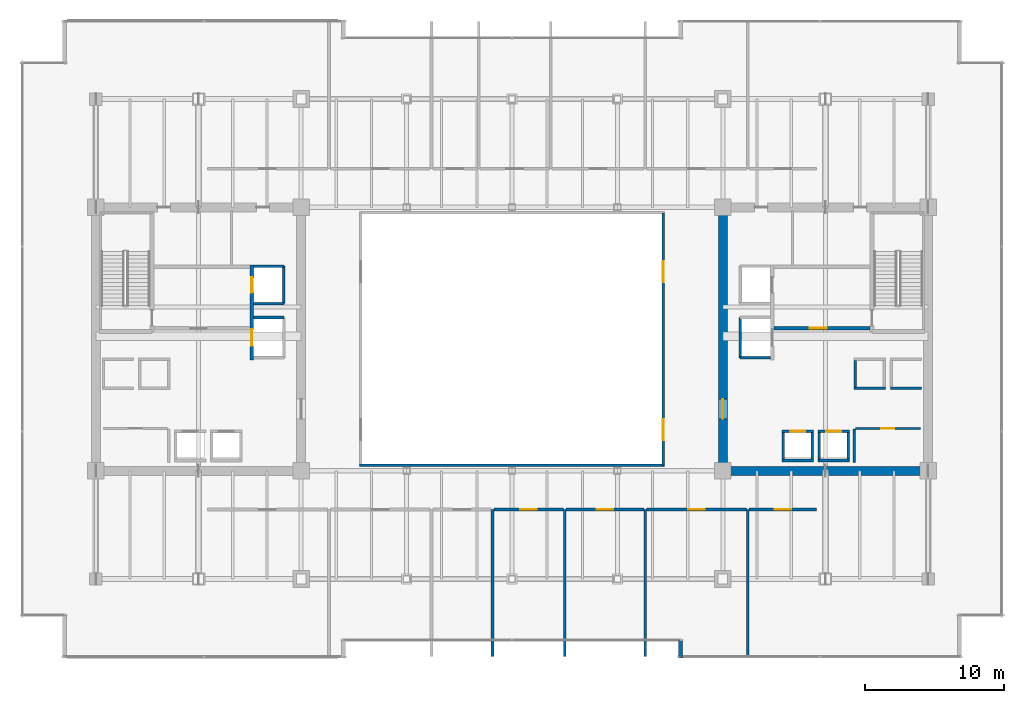
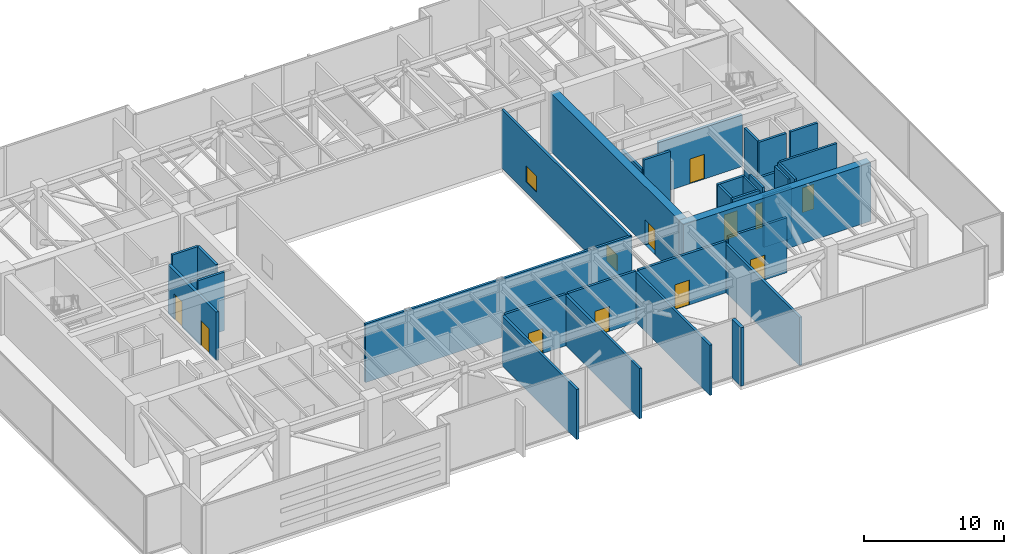
# One storey, part 29 of 34: 34 walls, 11 doors, 2 windows, 13 openings.
"""IFC4 building model written with IfcOpenShell, lengths in metres."""

from ifc_helpers import new_model, si_unit, direction, frame, frame_2d, origin, place, context, subcontext, project, spatial, rectangle, extrude, source, transform, mapped, material, layer, layer_set, type_object, type_shapes, element, fill, save


model = new_model("IFC4")

# Units and contexts
model_context = context("Model", 3, precision=1e-05, world=origin(), true_north=direction((0.0, 1.0)))
body_context = subcontext(model_context, "Body", "Model", "MODEL_VIEW")
ifc_project = project(units=[si_unit("LENGTHUNIT", "METRE"), si_unit("AREAUNIT", "SQUARE_METRE"), si_unit("VOLUMEUNIT", "CUBIC_METRE"), si_unit("PLANEANGLEUNIT", "RADIAN"), si_unit("MASSUNIT", "GRAM", prefix="KILO")], contexts=[model_context])

# Site, building, storey
site_placement = place(None, origin())
site = spatial("IfcSite", under=ifc_project, at=site_placement, CompositionType="ELEMENT")
building_placement = place(site_placement, origin())
building = spatial("IfcBuilding", under=site, at=building_placement, Name="Haelvirn Gate Laboratories", CompositionType="ELEMENT")
storey_placement = place(building_placement, frame((0.0, 0.0, 191.199951171875)))
storey = spatial("IfcBuildingStorey", under=building, at=storey_placement, Name="L46", CompositionType="ELEMENT", Elevation=191.199951171875)

# Wall
ifc_material_1 = material(Name="Thermally-broken bronze aluminium rainscreen & mineral wool", Category="aluminium")
ifc_layer_1 = layer(ifc_material_1, 0.280029296875, Name="EW-TERR-280")
ifc_layer_set_1 = layer_set([ifc_layer_1], Name="Thermally-broken bronze aluminium rainscreen & mineral wool")
wall_type_1 = type_object("IfcWallType", Name="EW-TERR-280", PredefinedType="STANDARD", material=ifc_layer_set_1)
wall_1_placement = place(storey_placement, frame((49.5400390625, 2.587890625, 0.0), z_axis=(0.0, 0.0, 1.0), x_axis=(0.0, -1.0, 0.0)))
element("IfcWall", 1, at=wall_1_placement, inside=storey, type_object=wall_type_1, Name="L46 Atrium Recess Bronze Return Wall 03", PredefinedType="STANDARD", context=body_context, shape_type="SweptSolid", body=[
    extrude(rectangle(XDim=1.287841796875, YDim=0.280029296875, at=frame_2d((0.64404296875, 0.0))), origin(), (0.0, 0.0, 1.0), 5.10009765625),
])

# Wall, openings, windows
ifc_material_2 = material(Name="Tempered fire-rated borosilicate glass & anodised aluminium", Category="aluminium")
ifc_layer_2 = layer(ifc_material_2, 0.195068359375, Name="IW-GLAZ-200")
ifc_layer_set_2 = layer_set([ifc_layer_2], Name="Tempered fire-rated borosilicate glass & anodised aluminium")
wall_type_2 = type_object("IfcWallType", Name="IW-GLAZ-200", PredefinedType="SOLIDWALL", material=ifc_layer_set_2)
wall_2_placement = place(storey_placement, frame((48.300048828125, 15.199951171875, 0.0), z_axis=(0.0, 0.0, 1.0), x_axis=(0.0, 1.0, 0.0)))
wall_2 = element("IfcWall", 2, at=wall_2_placement, inside=storey, type_object=wall_type_2, Name="L46 Interior Wall IW-L46-ATRIUM-E", PredefinedType="SOLIDWALL", context=body_context, shape_type="SweptSolid", body=[
    extrude(rectangle(XDim=18.199951171875, YDim=0.195068359375, at=frame_2d((9.10009765625, 0.0))), origin(), (0.0, 0.0, 1.0), 5.10009765625),
])
opening_1_placement = place(wall_2_placement, frame((1.800048828125, 0.0, 0.89990234375)))
opening_1 = element("IfcOpeningElement", 3, at=opening_1_placement, cuts=wall_2, Name="Opening W5", PredefinedType="OPENING", context=body_context, shape_type="SweptSolid", body=[
    extrude(rectangle(XDim=1.5, YDim=1.39990234375, at=frame_2d((0.75, 0.699951171875))), frame((0.0, 0.107421875, 0.0), z_axis=(0.0, -1.0, 0.0), x_axis=(1.0, 0.0, 0.0)), (0.0, 0.0, 1.0), 0.215087890625),
])
opening_2_placement = place(wall_2_placement, frame((13.199951171875, 0.0, 0.89990234375)))
opening_2 = element("IfcOpeningElement", 4, at=opening_2_placement, cuts=wall_2, Name="Opening W5", PredefinedType="OPENING", context=body_context, shape_type="SweptSolid", body=[
    extrude(rectangle(XDim=1.5, YDim=1.39990234375, at=frame_2d((0.75, 0.699951171875))), frame((0.0, 0.107421875, 0.0), z_axis=(0.0, -1.0, 0.0), x_axis=(1.0, 0.0, 0.0)), (0.0, 0.0, 1.0), 0.215087890625),
])
ifc_material_3 = material(Name="Fire-rated EI 120 borosilicate atrium vision glazing", Category="glass")
window_type = type_object("IfcWindowType", Name="WN-ATR-1500", PartitioningType="SINGLE_PANEL", PredefinedType="WINDOW", material=ifc_material_3)
shared_shape_1 = source(origin(), body_context, "Body", "SweptSolid", [
    extrude(rectangle(XDim=1.5, YDim=1.39990234375, at=frame_2d((0.75, 0.699951171875))), frame((0.0, 0.030029296875, 0.0), z_axis=(0.0, -1.0, 0.0), x_axis=(1.0, 0.0, 0.0)), (0.0, 0.0, 1.0), 0.06005859375),
])
type_shapes(window_type, [shared_shape_1])
window_1_placement = place(opening_1_placement, origin())
window_1 = element("IfcWindow", 5, at=window_1_placement, inside=storey, type_object=window_type, Name="L46 Atrium Observation Window 1", OverallHeight=1.39990234375, OverallWidth=1.5, PartitioningType="SINGLE_PANEL", PredefinedType="WINDOW", context=body_context, shape_type="MappedRepresentation", body=[
    mapped(shared_shape_1, transform((0.0, 0.0, 0.0), scale=1.0)),
])
fill(opening_1, window_1)
window_2_placement = place(opening_2_placement, origin())
window_2 = element("IfcWindow", 6, at=window_2_placement, inside=storey, type_object=window_type, Name="L46 Atrium Observation Window 2", OverallHeight=1.39990234375, OverallWidth=1.5, PartitioningType="SINGLE_PANEL", PredefinedType="WINDOW", context=body_context, shape_type="MappedRepresentation", body=[
    mapped(shared_shape_1, transform((0.0, 0.0, 0.0), scale=1.0)),
])
fill(opening_2, window_2)

# Walls
wall_3_placement = place(storey_placement, frame((26.39990234375, 15.199951171875, 0.0), z_axis=(0.0, 0.0, 1.0), x_axis=(1.0, 0.0, 0.0)))
element("IfcWall", 7, at=wall_3_placement, inside=storey, type_object=wall_type_2, Name="L46 Interior Wall IW-L46-ATRIUM-S", PredefinedType="SOLIDWALL", context=body_context, shape_type="SweptSolid", body=[
    extrude(rectangle(XDim=22.0, YDim=0.195068359375, at=frame_2d((11.0, 0.0))), origin(), (0.0, 0.0, 1.0), 5.10009765625),
])
ifc_material_4 = material(Name="Concrete C40/50", Category="concrete")
ifc_layer_3 = layer(ifc_material_4, 0.179931640625, Name="IW-SHAFT-180")
ifc_layer_set_3 = layer_set([ifc_layer_3], Name="Concrete C40/50")
wall_type_3 = type_object("IfcWallType", Name="IW-SHAFT-180", PredefinedType="SOLIDWALL", material=ifc_layer_set_3)
for number, where, z_axis, x_axis, name in (
    (8, (59.550048828125, 15.64990234375, 0.0), (0.0, 0.0, 1.0), (0.0, 1.0, 0.0), "L46 Interior Wall IW-L46-PL7-SD"),
    (9, (61.64990234375, 15.64990234375, 0.0), (0.0, 0.0, 1.0), (0.0, 1.0, 0.0), "L46 Interior Wall IW-L46-PL7-SDE"),
    (10, (56.949951171875, 15.64990234375, 0.0), (0.0, 0.0, 1.0), (0.0, 1.0, 0.0), "L46 Interior Wall IW-L46-PL8-SD"),
    (11, (59.050048828125, 15.64990234375, 0.0), (0.0, 0.0, 1.0), (0.0, 1.0, 0.0), "L46 Interior Wall IW-L46-PL8-SDE"),
):
    element("IfcWall", number, at=place(storey_placement, frame(where, z_axis=z_axis, x_axis=x_axis)), inside=storey, type_object=wall_type_3, Name=name, PredefinedType="SOLIDWALL", context=body_context, shape_type="SweptSolid", body=[
        extrude(rectangle(XDim=1.900146484375, YDim=0.179931640625, at=frame_2d((0.9501953125, 0.0))), origin(), (0.0, 0.0, 1.0), 5.10009765625),
    ])
wall_4_placement = place(storey_placement, frame((62.14990234375, 20.85009765625, 0.0), z_axis=(0.0, 0.0, 1.0), x_axis=(0.0, 1.0, 0.0)))
element("IfcWall", 12, at=wall_4_placement, inside=storey, type_object=wall_type_3, Name="L46 Interior Wall IW-L46-PL12-SD", PredefinedType="SOLIDWALL", context=body_context, shape_type="SweptSolid", body=[
    extrude(rectangle(XDim=1.89990234375, YDim=0.179931640625, at=frame_2d((0.949951171875, 0.0))), origin(), (0.0, 0.0, 1.0), 5.10009765625),
])

# Wall, opening, door
wall_5_placement = place(storey_placement, frame((62.14990234375, 17.85009765625, 0.0), z_axis=(0.0, 0.0, 1.0), x_axis=(1.0, 0.0, 0.0)))
wall_5 = element("IfcWall", 13, at=wall_5_placement, inside=storey, type_object=wall_type_3, Name="L46 Interior Wall IW-L46-E-FREED-LN-1", PredefinedType="SOLIDWALL", context=body_context, shape_type="SweptSolid", body=[
    extrude(rectangle(XDim=4.7001953125, YDim=0.179931640625, at=frame_2d((2.35009765625, 0.0))), origin(), (0.0, 0.0, 1.0), 5.10009765625),
])
opening_3_placement = place(wall_5_placement, frame((1.875, 0.0, 0.0)))
opening_3 = element("IfcOpeningElement", 14, at=opening_3_placement, cuts=wall_5, Name="Opening FD4", PredefinedType="OPENING", context=body_context, shape_type="SweptSolid", body=[
    extrude(rectangle(XDim=0.949951171875, YDim=2.14990234375, at=frame_2d((0.47509765625, 1.074951171875))), frame((0.0, 0.10009765625, 0.0), z_axis=(0.0, -1.0, 0.0), x_axis=(1.0, 0.0, 0.0)), (0.0, 0.0, 1.0), 0.199951171875),
])
ifc_material_5 = material(Name="Fire-rated steel SM355 core service door", Category="steel")
door_type_1 = type_object("IfcDoorType", Name="DR-FD-950", OperationType="NOTDEFINED", PredefinedType="DOOR", material=ifc_material_5)
shared_shape_2 = source(origin(), body_context, "Body", "SweptSolid", [
    extrude(rectangle(XDim=0.949951171875, YDim=2.14990234375, at=frame_2d((0.47509765625, 1.074951171875))), frame((0.0, 0.02490234375, 0.0), z_axis=(0.0, -1.0, 0.0), x_axis=(1.0, 0.0, 0.0)), (0.0, 0.0, 1.0), 0.050048828125),
])
type_shapes(door_type_1, [shared_shape_2])
door_1_placement = place(opening_3_placement, origin())
door_1 = element("IfcDoor", 15, at=door_1_placement, inside=storey, type_object=door_type_1, Name="L46 Cryogenic Specimen Biobank Door", OperationType="SINGLE_SWING_LEFT", OverallHeight=2.14990234375, OverallWidth=0.949951171875, PredefinedType="DOOR", context=body_context, shape_type="MappedRepresentation", body=[
    mapped(shared_shape_2, transform((0.0, 0.0, 0.0), scale=1.0)),
])
fill(opening_3, door_1)

# Walls
wall_6_placement = place(storey_placement, frame((62.06005859375, 15.39990234375, 0.0), z_axis=(0.0, 0.0, 1.0), x_axis=(0.0, 1.0, 0.0)))
element("IfcWall", 16, at=wall_6_placement, inside=storey, type_object=wall_type_3, Name="L46 Interior Wall IW-L46-E-FREED-LE-1", PredefinedType="SOLIDWALL", context=body_context, shape_type="SweptSolid", body=[
    extrude(rectangle(XDim=2.400146484375, YDim=0.179931640625, at=frame_2d((1.2001953125, 0.0))), origin(), (0.0, 0.0, 1.0), 5.10009765625),
])
ifc_layer_4 = layer(ifc_material_4, 0.199951171875, Name="IW-SHAFT-200")
ifc_layer_set_4 = layer_set([ifc_layer_4], Name="Concrete C40/50")
wall_type_4 = type_object("IfcWallType", Name="IW-SHAFT-200", PredefinedType="SOLIDWALL", material=ifc_layer_set_4)
wall_7_placement = place(storey_placement, frame((20.949951171875, 26.85009765625, 0.0), z_axis=(0.0, 0.0, 1.0), x_axis=(0.0, 1.0, 0.0)))
element("IfcWall", 17, at=wall_7_placement, inside=storey, type_object=wall_type_4, Name="L46 Interior Wall IW-L46-FL1-BK", PredefinedType="SOLIDWALL", context=body_context, shape_type="SweptSolid", body=[
    extrude(rectangle(XDim=2.699951171875, YDim=0.199951171875, at=frame_2d((1.35009765625, 0.0))), origin(), (0.0, 0.0, 1.0), 5.10009765625),
])
wall_8_placement = place(storey_placement, frame((18.760009765625, 29.550048828125, 0.0), z_axis=(0.0, 0.0, 1.0), x_axis=(1.0, 0.0, 0.0)))
element("IfcWall", 18, at=wall_8_placement, inside=storey, type_object=wall_type_4, Name="L46 Interior Wall IW-L46-FL1-N", PredefinedType="SOLIDWALL", context=body_context, shape_type="SweptSolid", body=[
    extrude(rectangle(XDim=2.18994140625, YDim=0.199951171875, at=frame_2d((1.094970703125, 0.0))), origin(), (0.0, 0.0, 1.0), 5.10009765625),
])
wall_9_placement = place(storey_placement, frame((18.760009765625, 26.85009765625, 0.0), z_axis=(0.0, 0.0, 1.0), x_axis=(1.0, 0.0, 0.0)))
element("IfcWall", 19, at=wall_9_placement, inside=storey, type_object=wall_type_4, Name="L46 Interior Wall IW-L46-FL1-S", PredefinedType="SOLIDWALL", context=body_context, shape_type="SweptSolid", body=[
    extrude(rectangle(XDim=2.18994140625, YDim=0.199951171875, at=frame_2d((1.094970703125, 0.0))), origin(), (0.0, 0.0, 1.0), 4.4970703125),
])
wall_10_placement = place(storey_placement, frame((18.760009765625, 25.85009765625, 0.0), z_axis=(0.0, 0.0, 1.0), x_axis=(1.0, 0.0, 0.0)))
element("IfcWall", 20, at=wall_10_placement, inside=storey, type_object=wall_type_4, Name="L46 Interior Wall IW-L46-SL1-N", PredefinedType="SOLIDWALL", context=body_context, shape_type="SweptSolid", body=[
    extrude(rectangle(XDim=2.18994140625, YDim=0.199951171875, at=frame_2d((1.094970703125, 0.0))), origin(), (0.0, 0.0, 1.0), 5.10009765625),
])

# Wall, opening, door
wall_11_placement = place(storey_placement, frame((59.469970703125, 17.64990234375, 0.0), z_axis=(0.0, 0.0, 1.0), x_axis=(1.0, 0.0, 0.0)))
wall_11 = element("IfcWall", 21, at=wall_11_placement, inside=storey, type_object=wall_type_4, Name="L46 Interior Wall IW-L46-PL7-FR", PredefinedType="SOLIDWALL", context=body_context, shape_type="SweptSolid", body=[
    extrude(rectangle(XDim=2.260009765625, YDim=0.199951171875, at=frame_2d((1.1298828125, 0.0))), origin(), (0.0, 0.0, 1.0), 4.4970703125),
])
opening_4_placement = place(wall_11_placement, frame((0.580078125, 0.0, 0.0)))
opening_4 = element("IfcOpeningElement", 22, at=opening_4_placement, cuts=wall_11, Name="Opening LD2", PredefinedType="OPENING", context=body_context, shape_type="SweptSolid", body=[
    extrude(rectangle(XDim=1.10009765625, YDim=2.219970703125, at=frame_2d((0.550048828125, 1.10986328125))), frame((0.0, 0.10986328125, 0.0), z_axis=(0.0, -1.0, 0.0), x_axis=(1.0, 0.0, 0.0)), (0.0, 0.0, 1.0), 0.219970703125),
])
ifc_material_6 = material(Name="Bronze stainless 316L sliding lift landing door")
door_type_2 = type_object("IfcDoorType", Name="DR-LD-1100", OperationType="NOTDEFINED", PredefinedType="USERDEFINED", material=ifc_material_6)
shared_shape_3 = source(origin(), body_context, "Body", "SweptSolid", [
    extrude(rectangle(XDim=1.10009765625, YDim=2.219970703125, at=frame_2d((0.550048828125, 1.10986328125))), frame((0.0, 0.02490234375, 0.0), z_axis=(0.0, -1.0, 0.0), x_axis=(1.0, 0.0, 0.0)), (0.0, 0.0, 1.0), 0.050048828125),
])
type_shapes(door_type_2, [shared_shape_3])
door_2_placement = place(opening_4_placement, origin())
door_2 = element("IfcDoor", 23, at=door_2_placement, inside=storey, type_object=door_type_2, Name="L46 Passenger Lift PL7 Landing Door", ObjectType="LANDING_DOOR", OperationType="SLIDING_TO_LEFT", OverallHeight=2.219970703125, OverallWidth=1.10009765625, PredefinedType="USERDEFINED", context=body_context, shape_type="MappedRepresentation", body=[
    mapped(shared_shape_3, transform((0.0, 0.0, 0.0), scale=1.0)),
])
fill(opening_4, door_2)

# Wall
wall_12_placement = place(storey_placement, frame((59.469970703125, 15.550048828125, 0.0), z_axis=(0.0, 0.0, 1.0), x_axis=(1.0, 0.0, 0.0)))
element("IfcWall", 24, at=wall_12_placement, inside=storey, type_object=wall_type_4, Name="L46 Interior Wall IW-L46-PL7-BK", PredefinedType="SOLIDWALL", context=body_context, shape_type="SweptSolid", body=[
    extrude(rectangle(XDim=2.260009765625, YDim=0.199951171875, at=frame_2d((1.1298828125, 0.0))), origin(), (0.0, 0.0, 1.0), 4.4970703125),
])

# Wall, opening, door
wall_13_placement = place(storey_placement, frame((56.8701171875, 17.64990234375, 0.0), z_axis=(0.0, 0.0, 1.0), x_axis=(1.0, 0.0, 0.0)))
wall_13 = element("IfcWall", 25, at=wall_13_placement, inside=storey, type_object=wall_type_4, Name="L46 Interior Wall IW-L46-PL8-FR", PredefinedType="SOLIDWALL", context=body_context, shape_type="SweptSolid", body=[
    extrude(rectangle(XDim=2.259765625, YDim=0.199951171875, at=frame_2d((1.1298828125, 0.0))), origin(), (0.0, 0.0, 1.0), 5.10009765625),
])
opening_5_placement = place(wall_13_placement, frame((0.580078125, 0.0, 0.0)))
opening_5 = element("IfcOpeningElement", 26, at=opening_5_placement, cuts=wall_13, Name="Opening LD2", PredefinedType="OPENING", context=body_context, shape_type="SweptSolid", body=[
    extrude(rectangle(XDim=1.10009765625, YDim=2.219970703125, at=frame_2d((0.550048828125, 1.10986328125))), frame((0.0, 0.10986328125, 0.0), z_axis=(0.0, -1.0, 0.0), x_axis=(1.0, 0.0, 0.0)), (0.0, 0.0, 1.0), 0.219970703125),
])
door_3_placement = place(opening_5_placement, origin())
door_3 = element("IfcDoor", 27, at=door_3_placement, inside=storey, type_object=door_type_2, Name="L46 Passenger Lift PL8 Landing Door", ObjectType="LANDING_DOOR", OperationType="SLIDING_TO_RIGHT", OverallHeight=2.219970703125, OverallWidth=1.10009765625, PredefinedType="USERDEFINED", context=body_context, shape_type="MappedRepresentation", body=[
    mapped(shared_shape_3, transform((0.0, 0.0, 0.0), scale=1.0)),
])
fill(opening_5, door_3)

# Walls
wall_14_placement = place(storey_placement, frame((56.8701171875, 15.550048828125, 0.0), z_axis=(0.0, 0.0, 1.0), x_axis=(1.0, 0.0, 0.0)))
element("IfcWall", 28, at=wall_14_placement, inside=storey, type_object=wall_type_4, Name="L46 Interior Wall IW-L46-PL8-BK", PredefinedType="SOLIDWALL", context=body_context, shape_type="SweptSolid", body=[
    extrude(rectangle(XDim=2.259765625, YDim=0.199951171875, at=frame_2d((1.1298828125, 0.0))), origin(), (0.0, 0.0, 1.0), 5.10009765625),
])
for number, where, z_axis, x_axis, name in (
    (29, (64.669921875, 20.75, 0.0), (0.0, 0.0, 1.0), (1.0, 0.0, 0.0), "L46 Interior Wall IW-L46-PL11-FR"),
    (30, (62.070068359375, 20.75, 0.0), (0.0, 0.0, 1.0), (1.0, 0.0, 0.0), "L46 Interior Wall IW-L46-PL12-FR"),
):
    element("IfcWall", number, at=place(storey_placement, frame(where, z_axis=z_axis, x_axis=x_axis)), inside=storey, type_object=wall_type_4, Name=name, PredefinedType="SOLIDWALL", context=body_context, shape_type="SweptSolid", body=[
        extrude(rectangle(XDim=2.260009765625, YDim=0.199951171875, at=frame_2d((1.1298828125, 0.0))), origin(), (0.0, 0.0, 1.0), 5.10009765625),
    ])
wall_15_placement = place(storey_placement, frame((53.85009765625, 22.949951171875, 0.0), z_axis=(0.0, 0.0, 1.0), x_axis=(0.0, 1.0, 0.0)))
element("IfcWall", 31, at=wall_15_placement, inside=storey, type_object=wall_type_4, Name="L46 Interior Wall IW-L46-SL2-BK", PredefinedType="SOLIDWALL", context=body_context, shape_type="SweptSolid", body=[
    extrude(rectangle(XDim=2.900146484375, YDim=0.199951171875, at=frame_2d((1.4501953125, 0.0))), origin(), (0.0, 0.0, 1.0), 4.235107421875),
])
wall_16_placement = place(storey_placement, frame((53.85009765625, 22.949951171875, 0.0), z_axis=(0.0, 0.0, 1.0), x_axis=(1.0, 0.0, 0.0)))
element("IfcWall", 32, at=wall_16_placement, inside=storey, type_object=wall_type_4, Name="L46 Interior Wall IW-L46-SL2-S", PredefinedType="SOLIDWALL", context=body_context, shape_type="SweptSolid", body=[
    extrude(rectangle(XDim=2.18994140625, YDim=0.199951171875, at=frame_2d((1.094970703125, 0.0))), origin(), (0.0, 0.0, 1.0), 5.10009765625),
])
wall_17_placement = place(storey_placement, frame((36.0, 1.409912109375, 0.0), z_axis=(0.0, 0.0, 1.0), x_axis=(0.0, 1.0, 0.0)))
element("IfcWall", 33, at=wall_17_placement, inside=storey, type_object=wall_type_4, Name="L46 Interior Wall IW-L46-PSDIV-3", PredefinedType="SOLIDWALL", context=body_context, shape_type="SweptSolid", body=[
    extrude(rectangle(XDim=10.610107421875, YDim=0.199951171875, at=frame_2d((5.30517578125, 0.0))), origin(), (0.0, 0.0, 1.0), 4.385009765625),
])

# Wall, opening, door
wall_18_placement = place(storey_placement, frame((36.10009765625, 12.02001953125, 0.0), z_axis=(0.0, 0.0, 1.0), x_axis=(1.0, 0.0, 0.0)))
wall_18 = element("IfcWall", 34, at=wall_18_placement, inside=storey, type_object=wall_type_4, Name="L46 Interior Wall IW-L46-PSW-4", PredefinedType="SOLIDWALL", context=body_context, shape_type="SweptSolid", body=[
    extrude(rectangle(XDim=5.0, YDim=0.199951171875, at=frame_2d((2.5, 0.0))), origin(), (0.0, 0.0, 1.0), 4.4970703125),
])
opening_6_placement = place(wall_18_placement, frame((1.89990234375, 0.0, 0.0)))
opening_6 = element("IfcOpeningElement", 35, at=opening_6_placement, cuts=wall_18, Name="Opening FD2", PredefinedType="OPENING", context=body_context, shape_type="SweptSolid", body=[
    extrude(rectangle(XDim=1.199951171875, YDim=2.159912109375, at=frame_2d((0.60009765625, 1.080078125))), frame((0.0, 0.10986328125, 0.0), z_axis=(0.0, -1.0, 0.0), x_axis=(1.0, 0.0, 0.0)), (0.0, 0.0, 1.0), 0.219970703125),
])
ifc_material_7 = material(Name="Fire-rated steel SM355 compartment door", Category="steel")
door_type_3 = type_object("IfcDoorType", Name="DR-FD-1200", OperationType="NOTDEFINED", PredefinedType="DOOR", material=ifc_material_7)
shared_shape_4 = source(origin(), body_context, "Body", "SweptSolid", [
    extrude(rectangle(XDim=1.199951171875, YDim=2.159912109375, at=frame_2d((0.60009765625, 1.080078125))), frame((0.0, 0.02490234375, 0.0), z_axis=(0.0, -1.0, 0.0), x_axis=(1.0, 0.0, 0.0)), (0.0, 0.0, 1.0), 0.050048828125),
])
type_shapes(door_type_3, [shared_shape_4])
door_4_placement = place(opening_6_placement, origin())
door_4 = element("IfcDoor", 36, at=door_4_placement, inside=storey, type_object=door_type_3, Name="L46 High-Pressure Steam & Boiler Plant Fire Door", OperationType="SINGLE_SWING_RIGHT", OverallHeight=2.159912109375, OverallWidth=1.199951171875, PredefinedType="DOOR", context=body_context, shape_type="MappedRepresentation", body=[
    mapped(shared_shape_4, transform((0.0, 0.0, 0.0), scale=1.0)),
])
fill(opening_6, door_4)

# Wall
wall_19_placement = place(storey_placement, frame((41.199951171875, 1.409912109375, 0.0), z_axis=(0.0, 0.0, 1.0), x_axis=(0.0, 1.0, 0.0)))
element("IfcWall", 37, at=wall_19_placement, inside=storey, type_object=wall_type_4, Name="L46 Interior Wall IW-L46-PSDIV-4", PredefinedType="SOLIDWALL", context=body_context, shape_type="SweptSolid", body=[
    extrude(rectangle(XDim=10.610107421875, YDim=0.199951171875, at=frame_2d((5.30517578125, 0.0))), origin(), (0.0, 0.0, 1.0), 4.385009765625),
])

# Wall, opening, door
wall_20_placement = place(storey_placement, frame((41.300048828125, 12.02001953125, 0.0), z_axis=(0.0, 0.0, 1.0), x_axis=(1.0, 0.0, 0.0)))
wall_20 = element("IfcWall", 38, at=wall_20_placement, inside=storey, type_object=wall_type_4, Name="L46 Interior Wall IW-L46-PSW-5", PredefinedType="SOLIDWALL", context=body_context, shape_type="SweptSolid", body=[
    extrude(rectangle(XDim=5.599853515625, YDim=0.199951171875, at=frame_2d((2.7998046875, 0.0))), origin(), (0.0, 0.0, 1.0), 4.4970703125),
])
opening_7_placement = place(wall_20_placement, frame((2.199951171875, 0.0, 0.0)))
opening_7 = element("IfcOpeningElement", 39, at=opening_7_placement, cuts=wall_20, Name="Opening FD2", PredefinedType="OPENING", context=body_context, shape_type="SweptSolid", body=[
    extrude(rectangle(XDim=1.199951171875, YDim=2.159912109375, at=frame_2d((0.60009765625, 1.080078125))), frame((0.0, 0.10986328125, 0.0), z_axis=(0.0, -1.0, 0.0), x_axis=(1.0, 0.0, 0.0)), (0.0, 0.0, 1.0), 0.219970703125),
])
door_5_placement = place(opening_7_placement, origin())
door_5 = element("IfcDoor", 40, at=door_5_placement, inside=storey, type_object=door_type_3, Name="L46 Mid-Zone Switchgear Plant Fire Door", OperationType="SINGLE_SWING_LEFT", OverallHeight=2.159912109375, OverallWidth=1.199951171875, PredefinedType="DOOR", context=body_context, shape_type="MappedRepresentation", body=[
    mapped(shared_shape_4, transform((0.0, 0.0, 0.0), scale=1.0)),
])
fill(opening_7, door_5)

# Wall
wall_21_placement = place(storey_placement, frame((47.0, 1.409912109375, 0.0), z_axis=(0.0, 0.0, 1.0), x_axis=(0.0, 1.0, 0.0)))
element("IfcWall", 41, at=wall_21_placement, inside=storey, type_object=wall_type_4, Name="L46 Interior Wall IW-L46-PSDIV-5", PredefinedType="SOLIDWALL", context=body_context, shape_type="SweptSolid", body=[
    extrude(rectangle(XDim=10.610107421875, YDim=0.199951171875, at=frame_2d((5.30517578125, 0.0))), origin(), (0.0, 0.0, 1.0), 4.385009765625),
])

# Wall, opening, door
wall_22_placement = place(storey_placement, frame((47.10009765625, 12.02001953125, 0.0), z_axis=(0.0, 0.0, 1.0), x_axis=(1.0, 0.0, 0.0)))
wall_22 = element("IfcWall", 42, at=wall_22_placement, inside=storey, type_object=wall_type_4, Name="L46 Interior Wall IW-L46-PSW-6", PredefinedType="SOLIDWALL", context=body_context, shape_type="SweptSolid", body=[
    extrude(rectangle(XDim=7.199951171875, YDim=0.199951171875, at=frame_2d((3.60009765625, 0.0))), origin(), (0.0, 0.0, 1.0), 4.4970703125),
])
opening_8_placement = place(wall_22_placement, frame((3.0, 0.0, 0.0)))
opening_8 = element("IfcOpeningElement", 43, at=opening_8_placement, cuts=wall_22, Name="Opening FD2", PredefinedType="OPENING", context=body_context, shape_type="SweptSolid", body=[
    extrude(rectangle(XDim=1.199951171875, YDim=2.159912109375, at=frame_2d((0.60009765625, 1.080078125))), frame((0.0, 0.10986328125, 0.0), z_axis=(0.0, -1.0, 0.0), x_axis=(1.0, 0.0, 0.0)), (0.0, 0.0, 1.0), 0.219970703125),
])
door_6_placement = place(opening_8_placement, origin())
door_6 = element("IfcDoor", 44, at=door_6_placement, inside=storey, type_object=door_type_3, Name="L46 East Sky Evacuation Refuge Zone 2B Fire Door", OperationType="SINGLE_SWING_RIGHT", OverallHeight=2.159912109375, OverallWidth=1.199951171875, PredefinedType="DOOR", context=body_context, shape_type="MappedRepresentation", body=[
    mapped(shared_shape_4, transform((0.0, 0.0, 0.0), scale=1.0)),
])
fill(opening_8, door_6)

# Wall
wall_23_placement = place(storey_placement, frame((54.39990234375, 1.409912109375, 0.0), z_axis=(0.0, 0.0, 1.0), x_axis=(0.0, 1.0, 0.0)))
element("IfcWall", 45, at=wall_23_placement, inside=storey, type_object=wall_type_4, Name="L46 Interior Wall IW-L46-PSDIV-6", PredefinedType="SOLIDWALL", context=body_context, shape_type="SweptSolid", body=[
    extrude(rectangle(XDim=10.610107421875, YDim=0.199951171875, at=frame_2d((5.30517578125, 0.0))), origin(), (0.0, 0.0, 1.0), 4.235107421875),
])

# Wall, opening, door
wall_24_placement = place(storey_placement, frame((54.5, 12.02001953125, 0.0), z_axis=(0.0, 0.0, 1.0), x_axis=(1.0, 0.0, 0.0)))
wall_24 = element("IfcWall", 46, at=wall_24_placement, inside=storey, type_object=wall_type_4, Name="L46 Interior Wall IW-L46-PSW-7", PredefinedType="SOLIDWALL", context=body_context, shape_type="SweptSolid", body=[
    extrude(rectangle(XDim=4.85009765625, YDim=0.199951171875, at=frame_2d((2.425048828125, 0.0))), origin(), (0.0, 0.0, 1.0), 4.78515625),
])
opening_9_placement = place(wall_24_placement, frame((1.824951171875, 0.0, 0.0)))
opening_9 = element("IfcOpeningElement", 47, at=opening_9_placement, cuts=wall_24, Name="Opening FD2", PredefinedType="OPENING", context=body_context, shape_type="SweptSolid", body=[
    extrude(rectangle(XDim=1.199951171875, YDim=2.159912109375, at=frame_2d((0.60009765625, 1.080078125))), frame((0.0, 0.10986328125, 0.0), z_axis=(0.0, -1.0, 0.0), x_axis=(1.0, 0.0, 0.0)), (0.0, 0.0, 1.0), 0.219970703125),
])
door_7_placement = place(opening_9_placement, origin())
door_7 = element("IfcDoor", 48, at=door_7_placement, inside=storey, type_object=door_type_3, Name="L46 East Sky Evacuation Refuge Zone 2A Fire Door", OperationType="SINGLE_SWING_LEFT", OverallHeight=2.159912109375, OverallWidth=1.199951171875, PredefinedType="DOOR", context=body_context, shape_type="MappedRepresentation", body=[
    mapped(shared_shape_4, transform((0.0, 0.0, 0.0), scale=1.0)),
])
fill(opening_9, door_7)

# Wall, openings, doors
ifc_layer_5 = layer(ifc_material_4, 0.239990234375, Name="IW-SHAFT-240")
ifc_layer_set_5 = layer_set([ifc_layer_5], Name="Concrete C40/50")
wall_type_5 = type_object("IfcWallType", Name="IW-SHAFT-240", PredefinedType="SOLIDWALL", material=ifc_layer_set_5)
wall_25_placement = place(storey_placement, frame((18.639892578125, 22.800048828125, 0.0), z_axis=(0.0, 0.0, 1.0), x_axis=(0.0, 1.0, 0.0)))
wall_25 = element("IfcWall", 49, at=wall_25_placement, inside=storey, type_object=wall_type_5, Name="L46 Interior Wall IW-L46-W-FF-E", PredefinedType="SOLIDWALL", context=body_context, shape_type="SweptSolid", body=[
    extrude(rectangle(XDim=6.849853515625, YDim=0.239990234375, at=frame_2d((3.4248046875, 0.0))), origin(), (0.0, 0.0, 1.0), 4.235107421875),
])
opening_10_placement = place(wall_25_placement, frame((4.85009765625, 0.0, 0.0)))
opening_10 = element("IfcOpeningElement", 50, at=opening_10_placement, cuts=wall_25, Name="Opening LD2", PredefinedType="OPENING", context=body_context, shape_type="SweptSolid", body=[
    extrude(rectangle(XDim=1.10009765625, YDim=2.219970703125, at=frame_2d((0.550048828125, 1.10986328125))), frame((0.0, 0.1298828125, 0.0), z_axis=(0.0, -1.0, 0.0), x_axis=(1.0, 0.0, 0.0)), (0.0, 0.0, 1.0), 0.260009765625),
])
opening_11_placement = place(wall_25_placement, frame((1.0, 0.0, 0.0)))
opening_11 = element("IfcOpeningElement", 51, at=opening_11_placement, cuts=wall_25, Name="Opening LD1", PredefinedType="OPENING", context=body_context, shape_type="SweptSolid", body=[
    extrude(rectangle(XDim=1.199951171875, YDim=2.219970703125, at=frame_2d((0.60009765625, 1.10986328125))), frame((0.0, 0.1298828125, 0.0), z_axis=(0.0, -1.0, 0.0), x_axis=(1.0, 0.0, 0.0)), (0.0, 0.0, 1.0), 0.260009765625),
])
door_8_placement = place(opening_10_placement, origin())
door_8 = element("IfcDoor", 52, at=door_8_placement, inside=storey, type_object=door_type_2, Name="L46 Firefighting Lift FL1 Landing Door", ObjectType="LANDING_DOOR", OperationType="SLIDING_TO_LEFT", OverallHeight=2.219970703125, OverallWidth=1.10009765625, PredefinedType="USERDEFINED", context=body_context, shape_type="MappedRepresentation", body=[
    mapped(shared_shape_3, transform((0.0, 0.0, 0.0), scale=1.0)),
])
fill(opening_10, door_8)
ifc_material_8 = material(Name="Stainless steel 316L sliding goods landing door", Category="steel")
door_type_4 = type_object("IfcDoorType", Name="DR-LD-1200", OperationType="NOTDEFINED", PredefinedType="USERDEFINED", material=ifc_material_8)
shared_shape_5 = source(origin(), body_context, "Body", "SweptSolid", [
    extrude(rectangle(XDim=1.199951171875, YDim=2.219970703125, at=frame_2d((0.60009765625, 1.10986328125))), frame((0.0, 0.02490234375, 0.0), z_axis=(0.0, -1.0, 0.0), x_axis=(1.0, 0.0, 0.0)), (0.0, 0.0, 1.0), 0.050048828125),
])
type_shapes(door_type_4, [shared_shape_5])
door_9_placement = place(opening_11_placement, origin())
door_9 = element("IfcDoor", 53, at=door_9_placement, inside=storey, type_object=door_type_4, Name="L46 Service Lift SL1 Landing Door", ObjectType="LANDING_DOOR", OperationType="SLIDING_TO_RIGHT", OverallHeight=2.219970703125, OverallWidth=1.199951171875, PredefinedType="USERDEFINED", context=body_context, shape_type="MappedRepresentation", body=[
    mapped(shared_shape_5, transform((0.0, 0.0, 0.0), scale=1.0)),
])
fill(opening_11, door_9)

# Wall, opening, door
wall_26_placement = place(storey_placement, frame((56.280029296875, 25.080078125, 0.0), z_axis=(0.0, 0.0, 1.0), x_axis=(1.0, 0.0, 0.0)))
wall_26 = element("IfcWall", 54, at=wall_26_placement, inside=storey, type_object=wall_type_5, Name="L46 Interior Wall IW-L46-E-FF-S", PredefinedType="SOLIDWALL", context=body_context, shape_type="SweptSolid", body=[
    extrude(rectangle(XDim=6.919921875, YDim=0.239990234375, at=frame_2d((3.4599609375, 0.0))), origin(), (0.0, 0.0, 1.0), 4.4970703125),
])
opening_12_placement = place(wall_26_placement, frame((2.60009765625, 0.0, 0.0)))
opening_12 = element("IfcOpeningElement", 55, at=opening_12_placement, cuts=wall_26, Name="Opening FD2", PredefinedType="OPENING", context=body_context, shape_type="SweptSolid", body=[
    extrude(rectangle(XDim=1.199951171875, YDim=2.159912109375, at=frame_2d((0.60009765625, 1.080078125))), frame((0.0, 0.1298828125, 0.0), z_axis=(0.0, -1.0, 0.0), x_axis=(1.0, 0.0, 0.0)), (0.0, 0.0, 1.0), 0.260009765625),
])
door_10_placement = place(opening_12_placement, origin())
door_10 = element("IfcDoor", 56, at=door_10_placement, inside=storey, type_object=door_type_3, Name="L46 East Firefighting Lobby Door", OperationType="SINGLE_SWING_LEFT", OverallHeight=2.159912109375, OverallWidth=1.199951171875, PredefinedType="DOOR", context=body_context, shape_type="MappedRepresentation", body=[
    mapped(shared_shape_4, transform((0.0, 0.0, 0.0), scale=1.0)),
])
fill(opening_12, door_10)

# Wall
ifc_material_9 = material(Name="Concrete C60/75", Category="concrete")
ifc_layer_6 = layer(ifc_material_9, 0.64990234375, Name="SW-CORE-650")
ifc_layer_set_6 = layer_set([ifc_layer_6], Name="Concrete C60/75")
wall_type_6 = type_object("IfcWallType", Name="SW-CORE-650", PredefinedType="SHEAR", material=ifc_layer_set_6)
wall_27_placement = place(storey_placement, frame((52.27490234375, 14.800048828125, 0.0), z_axis=(0.0, 0.0, 1.0), x_axis=(1.0, 0.0, 0.0)))
element("IfcWall", 57, at=wall_27_placement, inside=storey, type_object=wall_type_6, Name="L46 E Core Shear Wall S", PredefinedType="SHEAR", context=body_context, shape_type="SweptSolid", body=[
    extrude(rectangle(XDim=15.4501953125, YDim=0.64990234375, at=frame_2d((7.72509765625, 0.0))), origin(), (0.0, 0.0, 1.0), 5.10009765625),
])

# Wall, opening, door
wall_28_placement = place(storey_placement, frame((52.60009765625, 15.125, 0.0), z_axis=(0.0, 0.0, 1.0), x_axis=(0.0, 1.0, 0.0)))
wall_28 = element("IfcWall", 58, at=wall_28_placement, inside=storey, type_object=wall_type_6, Name="L46 E Core Shear Wall W", PredefinedType="SHEAR", context=body_context, shape_type="SweptSolid", body=[
    extrude(rectangle(XDim=18.35009765625, YDim=0.64990234375, at=frame_2d((9.175048828125, 0.0))), origin(), (0.0, 0.0, 1.0), 5.10009765625),
])
opening_13_placement = place(wall_28_placement, frame((3.425048828125, 0.0, 0.0)))
opening_13 = element("IfcOpeningElement", 59, at=opening_13_placement, cuts=wall_28, Name="Opening FD1", PredefinedType="OPENING", context=body_context, shape_type="SweptSolid", body=[
    extrude(rectangle(XDim=1.419921875, YDim=2.199951171875, at=frame_2d((0.7099609375, 1.10009765625))), frame((0.0, 0.3349609375, 0.0), z_axis=(0.0, -1.0, 0.0), x_axis=(1.0, 0.0, 0.0)), (0.0, 0.0, 1.0), 0.669921875),
])
ifc_material_10 = material(Name="Fire-rated double steel SM355 lobby door", Category="steel")
door_type_5 = type_object("IfcDoorType", Name="DR-FD-1400", OperationType="NOTDEFINED", PredefinedType="DOOR", material=ifc_material_10)
shared_shape_6 = source(origin(), body_context, "Body", "SweptSolid", [
    extrude(rectangle(XDim=1.419921875, YDim=2.199951171875, at=frame_2d((0.7099609375, 1.10009765625))), frame((0.0, 0.02490234375, 0.0), z_axis=(0.0, -1.0, 0.0), x_axis=(1.0, 0.0, 0.0)), (0.0, 0.0, 1.0), 0.050048828125),
])
type_shapes(door_type_5, [shared_shape_6])
door_11_placement = place(opening_13_placement, origin())
door_11 = element("IfcDoor", 60, at=door_11_placement, inside=storey, type_object=door_type_5, Name="L46 East Core Lift Lobby Fire Door", OperationType="DOUBLE_DOOR_SINGLE_SWING", OverallHeight=2.199951171875, OverallWidth=1.419921875, PredefinedType="DOOR", context=body_context, shape_type="MappedRepresentation", body=[
    mapped(shared_shape_6, transform((0.0, 0.0, 0.0), scale=1.0)),
])
fill(opening_13, door_11)

save(model, "model.ifc")
